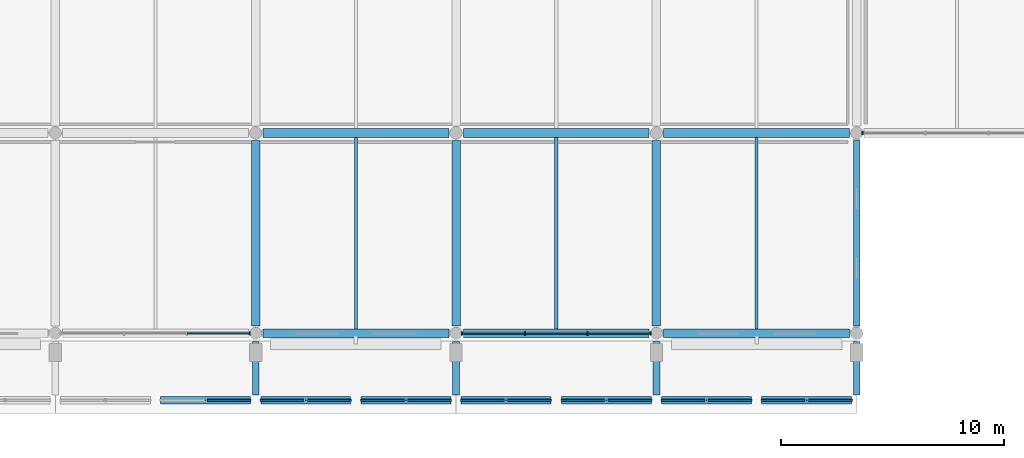
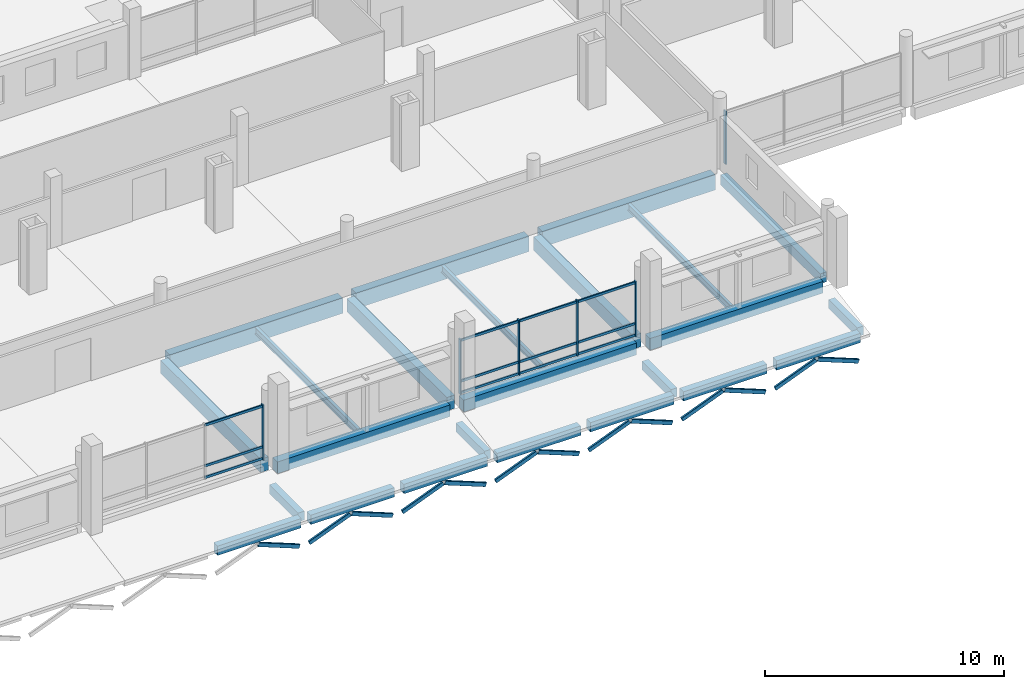
# One storey, part 57 of 132: 31 members, 24 beams, 3 elements without a shape of their own.
"""IFC4 building model written with IfcOpenShell, lengths in metres."""

from ifc_helpers import new_model, si_unit, direction, frame, origin, origin_2d, place, context, subcontext, project, spatial, rectangle, hollow_rectangle, i_section, extrude, material, material_profile, profile_set, type_object, element, aggregate, save


model = new_model("IFC4")

# Units and contexts
model_context = context("Model", 3, precision=1e-05, world=origin(), true_north=direction((0.0, 1.0)))
body_context = subcontext(model_context, "Body", "Model", "MODEL_VIEW")
ifc_project = project(units=[si_unit("LENGTHUNIT", "METRE"), si_unit("AREAUNIT", "SQUARE_METRE"), si_unit("VOLUMEUNIT", "CUBIC_METRE"), si_unit("PLANEANGLEUNIT", "RADIAN"), si_unit("MASSUNIT", "GRAM", prefix="KILO")], contexts=[model_context])

# Site, building, storey
site_placement = place(None, origin())
site = spatial("IfcSite", under=ifc_project, at=site_placement, CompositionType="ELEMENT")
building_placement = place(site_placement, origin())
building = spatial("IfcBuilding", under=site, at=building_placement, Name="Tharagai Park Tramway Depot", CompositionType="ELEMENT")
storey_placement = place(building_placement, frame((0.0, 0.0, 4.800048828125)))
storey = spatial("IfcBuildingStorey", under=building, at=storey_placement, Name="L01", CompositionType="ELEMENT", Elevation=4.800048828125)

# Beams
ifc_material_1 = material(Name="Concrete M35", Category="concrete")
ifc_material_profile_1 = material_profile(ifc_material_1, rectangle(XDim=0.3798828125, YDim=0.679931640625, at=origin_2d()), Name="RC 380x680")
ifc_profile_set_1 = profile_set([ifc_material_profile_1], Name="Concrete M35")
beam_type_1 = type_object("IfcBeamType", Name="BM-12", PredefinedType="BEAM", material=ifc_profile_set_1)
for number, where, z_axis, x_axis, name in (
    (1, (162.0, 0.324951171875, -0.570068359375), (0.0, 1.0, 0.0), (-1.0, 0.0, 0.0), "L01 Grid Beam BM-12"),
    (2, (171.0, 0.324951171875, -0.570068359375), (0.0, 1.0, 0.0), (-1.0, 0.0, 0.0), "L01 Grid Beam BM-12"),
    (3, (180.0, 0.324951171875, -0.570068359375), (0.0, 1.0, 0.0), (-1.0, 0.0, 0.0), "L01 Grid Beam BM-12"),
):
    element("IfcBeam", number, at=place(storey_placement, frame(where, z_axis=z_axis, x_axis=x_axis)), inside=storey, type_object=beam_type_1, Name=name, PredefinedType="BEAM", context=body_context, shape_type="SweptSolid", body=[
        extrude(rectangle(XDim=0.3798828125, YDim=0.679931640625, at=origin_2d()), origin(), (0.0, 0.0, 1.0), 8.35009765625),
    ])
ifc_material_profile_2 = material_profile(ifc_material_1, rectangle(XDim=0.300048828125, YDim=0.449951171875, at=origin_2d()), Name="RC 300x450")
ifc_profile_set_2 = profile_set([ifc_material_profile_2], Name="Concrete M35")
beam_type_2 = type_object("IfcBeamType", Name="BM-14", PredefinedType="BEAM", material=ifc_profile_set_2)
for number, where, z_axis, x_axis, name in (
    (4, (162.0, -2.760009765625, -1.344970703125), (0.0, 1.0, 0.0), (-1.0, 0.0, 0.0), "Gothic Cloister Transverse Tie Beam BM-14"),
    (5, (171.0, -2.760009765625, -1.344970703125), (0.0, 1.0, 0.0), (-1.0, 0.0, 0.0), "Gothic Cloister Transverse Tie Beam BM-14"),
    (6, (180.0, -2.760009765625, -1.344970703125), (0.0, 1.0, 0.0), (-1.0, 0.0, 0.0), "Gothic Cloister Transverse Tie Beam BM-14"),
    (7, (189.0, -2.760009765625, -1.344970703125), (0.0, 1.0, 0.0), (-1.0, 0.0, 0.0), "Gothic Cloister Transverse Tie Beam BM-14"),
):
    element("IfcBeam", number, at=place(storey_placement, frame(where, z_axis=z_axis, x_axis=x_axis)), inside=storey, type_object=beam_type_2, Name=name, PredefinedType="BEAM", context=body_context, shape_type="SweptSolid", body=[
        extrude(rectangle(XDim=0.300048828125, YDim=0.449951171875, at=origin_2d()), origin(), (0.0, 0.0, 1.0), 2.39990234375),
    ])
ifc_material_profile_3 = material_profile(ifc_material_1, rectangle(XDim=0.419921875, YDim=0.780029296875, at=origin_2d()), Name="RC 420x780")
ifc_profile_set_3 = profile_set([ifc_material_profile_3], Name="Concrete M35")
beam_type_3 = type_object("IfcBeamType", Name="BM-16", PredefinedType="BEAM", material=ifc_profile_set_3)
for number, where, z_axis, x_axis, name in (
    (8, (162.324951171875, 9.0, -0.6201171875), (1.0, 0.0, 0.0), (0.0, 1.0, 0.0), "L01 Grid Beam BM-16"),
    (9, (171.324951171875, 9.0, -0.6201171875), (1.0, 0.0, 0.0), (0.0, 1.0, 0.0), "L01 Grid Beam BM-16"),
    (10, (180.324951171875, 9.0, -0.6201171875), (1.0, 0.0, 0.0), (0.0, 1.0, 0.0), "L01 Grid Beam BM-16"),
):
    element("IfcBeam", number, at=place(storey_placement, frame(where, z_axis=z_axis, x_axis=x_axis)), inside=storey, type_object=beam_type_3, Name=name, PredefinedType="BEAM", context=body_context, shape_type="SweptSolid", body=[
        extrude(rectangle(XDim=0.419921875, YDim=0.780029296875, at=origin_2d()), origin(), (0.0, 0.0, 1.0), 8.35009765625),
    ])

# Curtain wall, members
ifc_material_2 = material(Name="Anodised aluminium", Category="aluminium")
curtain_wall_type = type_object("IfcCurtainWallType", Name="CW-06", PredefinedType="NOTDEFINED", material=ifc_material_2)
curtain_wall_1_placement = place(storey_placement, origin())
curtain_wall_1 = element("IfcCurtainWall", 11, at=curtain_wall_1_placement, inside=storey, type_object=curtain_wall_type, Name="L01 V5 Gothic Mullioned Curtain Wall CW-06", PredefinedType="NOTDEFINED")
ifc_material_profile_4 = material_profile(ifc_material_2, rectangle(XDim=0.06494140625, YDim=0.1201171875, at=origin_2d()), Name="ALU 65x120")
ifc_profile_set_4 = profile_set([ifc_material_profile_4], Name="Anodised aluminium")
member_type_1 = type_object("IfcMemberType", Name="CM-01", PredefinedType="USERDEFINED", material=ifc_profile_set_4)
member_1_placement = place(storey_placement, frame((158.9267578125, 0.0, 0.06005859375), z_axis=(1.0, 0.0, 0.0), x_axis=(0.0, 1.0, 0.0)))
member_1 = element("IfcMember", 12, at=member_1_placement, type_object=member_type_1, Name="L01 V5 Gothic Mullioned Curtain Wall Transom 3.1", ObjectType="TRANSOM", PredefinedType="USERDEFINED", context=body_context, shape_type="SweptSolid", body=[
    extrude(rectangle(XDim=0.06494140625, YDim=0.1201171875, at=origin_2d()), origin(), (0.0, 0.0, 1.0), 2.793212890625),
])
member_2_placement = place(storey_placement, frame((158.9267578125, 0.0, 0.64990234375), z_axis=(1.0, 0.0, 0.0), x_axis=(0.0, 1.0, 0.0)))
member_2 = element("IfcMember", 13, at=member_2_placement, type_object=member_type_1, Name="L01 V5 Gothic Mullioned Curtain Wall Transom 3.2", ObjectType="TRANSOM", PredefinedType="USERDEFINED", context=body_context, shape_type="SweptSolid", body=[
    extrude(rectangle(XDim=0.06494140625, YDim=0.1201171875, at=origin_2d()), origin(), (0.0, 0.0, 1.0), 2.793212890625),
])
member_3_placement = place(storey_placement, frame((158.9267578125, 0.0, 2.72998046875), z_axis=(1.0, 0.0, 0.0), x_axis=(0.0, 1.0, 0.0)))
member_3 = element("IfcMember", 14, at=member_3_placement, type_object=member_type_1, Name="L01 V5 Gothic Mullioned Curtain Wall Transom 3.3", ObjectType="TRANSOM", PredefinedType="USERDEFINED", context=body_context, shape_type="SweptSolid", body=[
    extrude(rectangle(XDim=0.06494140625, YDim=0.1201171875, at=origin_2d()), origin(), (0.0, 0.0, 1.0), 2.793212890625),
])

curtain_wall_2_placement = place(storey_placement, origin())
curtain_wall_2 = element("IfcCurtainWall", 15, at=curtain_wall_2_placement, inside=storey, type_object=curtain_wall_type, Name="L01 V5 Gothic Mullioned Curtain Wall CW-06", PredefinedType="NOTDEFINED")
member_4_placement = place(storey_placement, frame((171.280029296875, 0.0, 0.06005859375), z_axis=(1.0, 0.0, 0.0), x_axis=(0.0, 1.0, 0.0)))
member_4 = element("IfcMember", 16, at=member_4_placement, type_object=member_type_1, Name="L01 V5 Gothic Mullioned Curtain Wall Transom 1.1", ObjectType="TRANSOM", PredefinedType="USERDEFINED", context=body_context, shape_type="SweptSolid", body=[
    extrude(rectangle(XDim=0.06494140625, YDim=0.1201171875, at=origin_2d()), origin(), (0.0, 0.0, 1.0), 2.793212890625),
])
member_5_placement = place(storey_placement, frame((171.280029296875, 0.0, 0.64990234375), z_axis=(1.0, 0.0, 0.0), x_axis=(0.0, 1.0, 0.0)))
member_5 = element("IfcMember", 17, at=member_5_placement, type_object=member_type_1, Name="L01 V5 Gothic Mullioned Curtain Wall Transom 1.2", ObjectType="TRANSOM", PredefinedType="USERDEFINED", context=body_context, shape_type="SweptSolid", body=[
    extrude(rectangle(XDim=0.06494140625, YDim=0.1201171875, at=origin_2d()), origin(), (0.0, 0.0, 1.0), 2.793212890625),
])
member_6_placement = place(storey_placement, frame((171.280029296875, 0.0, 2.72998046875), z_axis=(1.0, 0.0, 0.0), x_axis=(0.0, 1.0, 0.0)))
member_6 = element("IfcMember", 18, at=member_6_placement, type_object=member_type_1, Name="L01 V5 Gothic Mullioned Curtain Wall Transom 1.3", ObjectType="TRANSOM", PredefinedType="USERDEFINED", context=body_context, shape_type="SweptSolid", body=[
    extrude(rectangle(XDim=0.06494140625, YDim=0.1201171875, at=origin_2d()), origin(), (0.0, 0.0, 1.0), 2.793212890625),
])
member_7_placement = place(storey_placement, frame((174.103271484375, 0.0, 0.06005859375), z_axis=(1.0, 0.0, 0.0), x_axis=(0.0, 1.0, 0.0)))
member_7 = element("IfcMember", 19, at=member_7_placement, type_object=member_type_1, Name="L01 V5 Gothic Mullioned Curtain Wall Transom 2.1", ObjectType="TRANSOM", PredefinedType="USERDEFINED", context=body_context, shape_type="SweptSolid", body=[
    extrude(rectangle(XDim=0.06494140625, YDim=0.1201171875, at=origin_2d()), origin(), (0.0, 0.0, 1.0), 2.79345703125),
])
member_8_placement = place(storey_placement, frame((174.103271484375, 0.0, 0.64990234375), z_axis=(1.0, 0.0, 0.0), x_axis=(0.0, 1.0, 0.0)))
member_8 = element("IfcMember", 20, at=member_8_placement, type_object=member_type_1, Name="L01 V5 Gothic Mullioned Curtain Wall Transom 2.2", ObjectType="TRANSOM", PredefinedType="USERDEFINED", context=body_context, shape_type="SweptSolid", body=[
    extrude(rectangle(XDim=0.06494140625, YDim=0.1201171875, at=origin_2d()), origin(), (0.0, 0.0, 1.0), 2.79345703125),
])
member_9_placement = place(storey_placement, frame((174.103271484375, 0.0, 2.72998046875), z_axis=(1.0, 0.0, 0.0), x_axis=(0.0, 1.0, 0.0)))
member_9 = element("IfcMember", 21, at=member_9_placement, type_object=member_type_1, Name="L01 V5 Gothic Mullioned Curtain Wall Transom 2.3", ObjectType="TRANSOM", PredefinedType="USERDEFINED", context=body_context, shape_type="SweptSolid", body=[
    extrude(rectangle(XDim=0.06494140625, YDim=0.1201171875, at=origin_2d()), origin(), (0.0, 0.0, 1.0), 2.79345703125),
])
member_10_placement = place(storey_placement, frame((176.9267578125, 0.0, 0.06005859375), z_axis=(1.0, 0.0, 0.0), x_axis=(0.0, 1.0, 0.0)))
member_10 = element("IfcMember", 22, at=member_10_placement, type_object=member_type_1, Name="L01 V5 Gothic Mullioned Curtain Wall Transom 3.1", ObjectType="TRANSOM", PredefinedType="USERDEFINED", context=body_context, shape_type="SweptSolid", body=[
    extrude(rectangle(XDim=0.06494140625, YDim=0.1201171875, at=origin_2d()), origin(), (0.0, 0.0, 1.0), 2.793212890625),
])
member_11_placement = place(storey_placement, frame((176.9267578125, 0.0, 0.64990234375), z_axis=(1.0, 0.0, 0.0), x_axis=(0.0, 1.0, 0.0)))
member_11 = element("IfcMember", 23, at=member_11_placement, type_object=member_type_1, Name="L01 V5 Gothic Mullioned Curtain Wall Transom 3.2", ObjectType="TRANSOM", PredefinedType="USERDEFINED", context=body_context, shape_type="SweptSolid", body=[
    extrude(rectangle(XDim=0.06494140625, YDim=0.1201171875, at=origin_2d()), origin(), (0.0, 0.0, 1.0), 2.793212890625),
])
member_12_placement = place(storey_placement, frame((176.9267578125, 0.0, 2.72998046875), z_axis=(1.0, 0.0, 0.0), x_axis=(0.0, 1.0, 0.0)))
member_12 = element("IfcMember", 24, at=member_12_placement, type_object=member_type_1, Name="L01 V5 Gothic Mullioned Curtain Wall Transom 3.3", ObjectType="TRANSOM", PredefinedType="USERDEFINED", context=body_context, shape_type="SweptSolid", body=[
    extrude(rectangle(XDim=0.06494140625, YDim=0.1201171875, at=origin_2d()), origin(), (0.0, 0.0, 1.0), 2.793212890625),
])

# Member
ifc_material_profile_5 = material_profile(ifc_material_2, rectangle(XDim=0.06494140625, YDim=0.14990234375, at=origin_2d()), Name="ALU 65x150")
ifc_profile_set_5 = profile_set([ifc_material_profile_5], Name="Anodised aluminium")
member_type_2 = type_object("IfcMemberType", Name="CM-03", PredefinedType="MULLION", material=ifc_profile_set_5)
member_13_placement = place(storey_placement, frame((161.735107421875, 0.0, -0.005126953125), z_axis=(0.0, 0.0, 1.0), x_axis=(1.0, 0.0, 0.0)))
member_13 = element("IfcMember", 25, at=member_13_placement, type_object=member_type_2, Name="L01 V5 Gothic Mullioned Curtain Wall Mullion 4", PredefinedType="MULLION", context=body_context, shape_type="SweptSolid", body=[
    extrude(rectangle(XDim=0.06494140625, YDim=0.14990234375, at=origin_2d()), origin(), (0.0, 0.0, 1.0), 2.820068359375),
])

aggregate(curtain_wall_1, [member_13, member_1, member_2, member_3])

member_14_placement = place(storey_placement, frame((171.264892578125, 0.0, -0.005126953125), z_axis=(0.0, 0.0, 1.0), x_axis=(1.0, 0.0, 0.0)))
member_14 = element("IfcMember", 26, at=member_14_placement, type_object=member_type_2, Name="L01 V5 Gothic Mullioned Curtain Wall Mullion 1", PredefinedType="MULLION", context=body_context, shape_type="SweptSolid", body=[
    extrude(rectangle(XDim=0.06494140625, YDim=0.14990234375, at=origin_2d()), origin(), (0.0, 0.0, 1.0), 2.820068359375),
])

member_15_placement = place(storey_placement, frame((174.08837890625, 0.0, -0.005126953125), z_axis=(0.0, 0.0, 1.0), x_axis=(1.0, 0.0, 0.0)))
member_15 = element("IfcMember", 27, at=member_15_placement, type_object=member_type_2, Name="L01 V5 Gothic Mullioned Curtain Wall Mullion 2", PredefinedType="MULLION", context=body_context, shape_type="SweptSolid", body=[
    extrude(rectangle(XDim=0.06494140625, YDim=0.14990234375, at=origin_2d()), origin(), (0.0, 0.0, 1.0), 2.820068359375),
])

member_16_placement = place(storey_placement, frame((176.91162109375, 0.0, -0.005126953125), z_axis=(0.0, 0.0, 1.0), x_axis=(1.0, 0.0, 0.0)))
member_16 = element("IfcMember", 28, at=member_16_placement, type_object=member_type_2, Name="L01 V5 Gothic Mullioned Curtain Wall Mullion 3", PredefinedType="MULLION", context=body_context, shape_type="SweptSolid", body=[
    extrude(rectangle(XDim=0.06494140625, YDim=0.14990234375, at=origin_2d()), origin(), (0.0, 0.0, 1.0), 2.820068359375),
])

member_17_placement = place(storey_placement, frame((179.735107421875, 0.0, -0.005126953125), z_axis=(0.0, 0.0, 1.0), x_axis=(1.0, 0.0, 0.0)))
member_17 = element("IfcMember", 29, at=member_17_placement, type_object=member_type_2, Name="L01 V5 Gothic Mullioned Curtain Wall Mullion 4", PredefinedType="MULLION", context=body_context, shape_type="SweptSolid", body=[
    extrude(rectangle(XDim=0.06494140625, YDim=0.14990234375, at=origin_2d()), origin(), (0.0, 0.0, 1.0), 2.820068359375),
])

aggregate(curtain_wall_2, [member_14, member_15, member_16, member_17, member_4, member_5, member_6, member_7, member_8, member_9, member_10, member_11, member_12])

# Curtain wall, member
curtain_wall_3_placement = place(storey_placement, origin())
curtain_wall_3 = element("IfcCurtainWall", 30, at=curtain_wall_3_placement, inside=storey, type_object=curtain_wall_type, Name="L01 V5 Gothic Mullioned Curtain Wall CW-06", PredefinedType="NOTDEFINED")
member_18_placement = place(storey_placement, frame((189.264892578125, 9.0, -0.005126953125), z_axis=(0.0, 0.0, 1.0), x_axis=(1.0, 0.0, 0.0)))
member_18 = element("IfcMember", 31, at=member_18_placement, type_object=member_type_2, Name="L01 V5 Gothic Mullioned Curtain Wall Mullion 1", PredefinedType="MULLION", context=body_context, shape_type="SweptSolid", body=[
    extrude(rectangle(XDim=0.06494140625, YDim=0.14990234375, at=origin_2d()), origin(), (0.0, 0.0, 1.0), 2.719970703125),
])
aggregate(curtain_wall_3, [member_18])

# Beams
ifc_material_3 = material(Name="Steel E350", Category="steel")
ifc_material_profile_6 = material_profile(ifc_material_3, i_section(OverallWidth=0.139892578125, OverallDepth=0.35009765625, WebThickness=0.008056640625, FlangeThickness=0.01416015625, FilletRadius=0.013916015625, at=origin_2d()), Name="ISMB 350")
ifc_profile_set_6 = profile_set([ifc_material_profile_6], Name="Steel E350")
beam_type_4 = type_object("IfcBeamType", Name="JT-01", PredefinedType="JOIST", material=ifc_profile_set_6)
for number, where, z_axis, x_axis, name in (
    (32, (166.5, 0.199951171875, -0.405029296875), (0.0, 1.0, 0.0), (-1.0, 0.0, 0.0), "L01 Secondary Joist JT-01"),
    (33, (175.5, 0.199951171875, -0.405029296875), (0.0, 1.0, 0.0), (-1.0, 0.0, 0.0), "L01 Secondary Joist JT-01"),
    (34, (184.5, 0.199951171875, -0.405029296875), (0.0, 1.0, 0.0), (-1.0, 0.0, 0.0), "L01 Secondary Joist JT-01"),
):
    element("IfcBeam", number, at=place(storey_placement, frame(where, z_axis=z_axis, x_axis=x_axis)), inside=storey, type_object=beam_type_4, Name=name, PredefinedType="JOIST", context=body_context, shape_type="SweptSolid", body=[
        extrude(i_section(OverallWidth=0.139892578125, OverallDepth=0.35009765625, WebThickness=0.008056640625, FlangeThickness=0.01416015625, FilletRadius=0.013916015625, at=origin_2d()), origin(), (0.0, 0.0, 1.0), 8.590087890625),
    ])

# Members
ifc_material_profile_7 = material_profile(ifc_material_3, hollow_rectangle(XDim=0.10009765625, YDim=0.199951171875, WallThickness=0.006103515625, InnerFilletRadius=0.006103515625, OuterFilletRadius=0.011962890625, at=origin_2d()), Name="RHS 200x100x6")
ifc_profile_set_7 = profile_set([ifc_material_profile_7], Name="Steel E350")
member_type_3 = type_object("IfcMemberType", Name="RF-04", PredefinedType="RAFTER", material=ifc_profile_set_7)
for number, where, z_axis, x_axis, name in (
    (35, (161.760009765625, -3.0, -2.6201171875), (-0.929766353739, 0.0, 0.368150142545), (0.0, -1.0, 0.0), "Pointed Gothic Arcade Arch Rib Right RF-04"),
    (36, (162.239990234375, -3.0, -2.6201171875), (0.929766353739, 0.0, 0.368150142545), (0.0, 1.0, 0.0), "Pointed Gothic Arcade Arch Rib Left RF-04"),
    (37, (166.260009765625, -3.0, -2.6201171875), (-0.929766353739, 0.0, 0.368150142545), (0.0, -1.0, 0.0), "Pointed Gothic Arcade Arch Rib Right RF-04"),
    (38, (166.739990234375, -3.0, -2.6201171875), (0.929766353739, 0.0, 0.368150142545), (0.0, 1.0, 0.0), "Pointed Gothic Arcade Arch Rib Left RF-04"),
    (39, (170.760009765625, -3.0, -2.6201171875), (-0.929766353739, 0.0, 0.368150142545), (0.0, -1.0, 0.0), "Pointed Gothic Arcade Arch Rib Right RF-04"),
    (40, (171.239990234375, -3.0, -2.6201171875), (0.929766353739, 0.0, 0.368150142545), (0.0, 1.0, 0.0), "Pointed Gothic Arcade Arch Rib Left RF-04"),
    (41, (175.260009765625, -3.0, -2.6201171875), (-0.929766353739, 0.0, 0.368150142545), (0.0, -1.0, 0.0), "Pointed Gothic Arcade Arch Rib Right RF-04"),
    (42, (175.739990234375, -3.0, -2.6201171875), (0.929766353739, 0.0, 0.368150142545), (0.0, 1.0, 0.0), "Pointed Gothic Arcade Arch Rib Left RF-04"),
    (43, (179.760009765625, -3.0, -2.6201171875), (-0.929766353739, 0.0, 0.368150142545), (0.0, -1.0, 0.0), "Pointed Gothic Arcade Arch Rib Right RF-04"),
    (44, (180.239990234375, -3.0, -2.6201171875), (0.929766353739, 0.0, 0.368150142545), (0.0, 1.0, 0.0), "Pointed Gothic Arcade Arch Rib Left RF-04"),
    (45, (184.260009765625, -3.0, -2.6201171875), (-0.929766353739, 0.0, 0.368150142545), (0.0, -1.0, 0.0), "Pointed Gothic Arcade Arch Rib Right RF-04"),
    (46, (184.739990234375, -3.0, -2.6201171875), (0.929766353739, 0.0, 0.368150142545), (0.0, 1.0, 0.0), "Pointed Gothic Arcade Arch Rib Left RF-04"),
    (47, (188.760009765625, -3.0, -2.6201171875), (-0.929766353739, 0.0, 0.368150142545), (0.0, -1.0, 0.0), "Pointed Gothic Arcade Arch Rib Right RF-04"),
):
    element("IfcMember", number, at=place(storey_placement, frame(where, z_axis=z_axis, x_axis=x_axis)), inside=storey, type_object=member_type_3, Name=name, PredefinedType="RAFTER", context=body_context, shape_type="SweptSolid", body=[
        extrude(hollow_rectangle(XDim=0.10009765625, YDim=0.199951171875, WallThickness=0.006103515625, InnerFilletRadius=0.006103515625, OuterFilletRadius=0.011962890625, at=origin_2d()), origin(), (0.0, 0.0, 1.0), 2.118896484375),
    ])

# Beams
ifc_material_profile_8 = material_profile(ifc_material_1, rectangle(XDim=0.39990234375, YDim=0.60009765625, at=origin_2d()), Name="RC 400x600")
ifc_profile_set_8 = profile_set([ifc_material_profile_8], Name="Concrete M35")
beam_type_5 = type_object("IfcBeamType", Name="SP-02", PredefinedType="SPANDREL", material=ifc_profile_set_8)
for number, where, z_axis, x_axis, name in (
    (48, (162.324951171875, 0.0, -0.530029296875), (1.0, 0.0, 0.0), (0.0, 1.0, 0.0), "L01 Grid Beam SP-02"),
    (49, (171.324951171875, 0.0, -0.530029296875), (1.0, 0.0, 0.0), (0.0, 1.0, 0.0), "L01 Grid Beam SP-02"),
    (50, (180.324951171875, 0.0, -0.530029296875), (1.0, 0.0, 0.0), (0.0, 1.0, 0.0), "L01 Grid Beam SP-02"),
):
    element("IfcBeam", number, at=place(storey_placement, frame(where, z_axis=z_axis, x_axis=x_axis)), inside=storey, type_object=beam_type_5, Name=name, PredefinedType="SPANDREL", context=body_context, shape_type="SweptSolid", body=[
        extrude(rectangle(XDim=0.39990234375, YDim=0.60009765625, at=origin_2d()), origin(), (0.0, 0.0, 1.0), 8.35009765625),
    ])
ifc_material_profile_9 = material_profile(ifc_material_1, rectangle(XDim=0.300048828125, YDim=0.5, at=origin_2d()), Name="RC 300x500")
ifc_profile_set_9 = profile_set([ifc_material_profile_9], Name="Concrete M35")
beam_type_6 = type_object("IfcBeamType", Name="SP-03", PredefinedType="SPANDREL", material=ifc_profile_set_9)
beam_placement = place(storey_placement, frame((189.0, 0.324951171875, -0.47998046875), z_axis=(0.0, 1.0, 0.0), x_axis=(-1.0, 0.0, 0.0)))
element("IfcBeam", 51, at=beam_placement, inside=storey, type_object=beam_type_6, Name="L01 Grid Beam SP-03", PredefinedType="SPANDREL", context=body_context, shape_type="SweptSolid", body=[
    extrude(rectangle(XDim=0.300048828125, YDim=0.5, at=origin_2d()), origin(), (0.0, 0.0, 1.0), 8.35009765625),
])
ifc_material_profile_10 = material_profile(ifc_material_1, rectangle(XDim=0.320068359375, YDim=0.47998046875, at=origin_2d()), Name="RC 320x480")
ifc_profile_set_10 = profile_set([ifc_material_profile_10], Name="Concrete M35")
beam_type_7 = type_object("IfcBeamType", Name="SP-05", PredefinedType="SPANDREL", material=ifc_profile_set_10)
for number, where, z_axis, x_axis, name in (
    (52, (157.72998046875, -3.0, -1.360107421875), (1.0, 0.0, 0.0), (0.0, 1.0, 0.0), "Gothic Cloister Arcade Spandrel Lintel SP-05"),
    (53, (162.22998046875, -3.0, -1.360107421875), (1.0, 0.0, 0.0), (0.0, 1.0, 0.0), "Gothic Cloister Arcade Spandrel Lintel SP-05"),
    (54, (166.72998046875, -3.0, -1.360107421875), (1.0, 0.0, 0.0), (0.0, 1.0, 0.0), "Gothic Cloister Arcade Spandrel Lintel SP-05"),
    (55, (171.22998046875, -3.0, -1.360107421875), (1.0, 0.0, 0.0), (0.0, 1.0, 0.0), "Gothic Cloister Arcade Spandrel Lintel SP-05"),
    (56, (175.72998046875, -3.0, -1.360107421875), (1.0, 0.0, 0.0), (0.0, 1.0, 0.0), "Gothic Cloister Arcade Spandrel Lintel SP-05"),
    (57, (180.22998046875, -3.0, -1.360107421875), (1.0, 0.0, 0.0), (0.0, 1.0, 0.0), "Gothic Cloister Arcade Spandrel Lintel SP-05"),
    (58, (184.72998046875, -3.0, -1.360107421875), (1.0, 0.0, 0.0), (0.0, 1.0, 0.0), "Gothic Cloister Arcade Spandrel Lintel SP-05"),
):
    element("IfcBeam", number, at=place(storey_placement, frame(where, z_axis=z_axis, x_axis=x_axis)), inside=storey, type_object=beam_type_7, Name=name, PredefinedType="SPANDREL", context=body_context, shape_type="SweptSolid", body=[
        extrude(rectangle(XDim=0.320068359375, YDim=0.47998046875, at=origin_2d()), origin(), (0.0, 0.0, 1.0), 4.0400390625),
    ])

save(model, "model.ifc")
